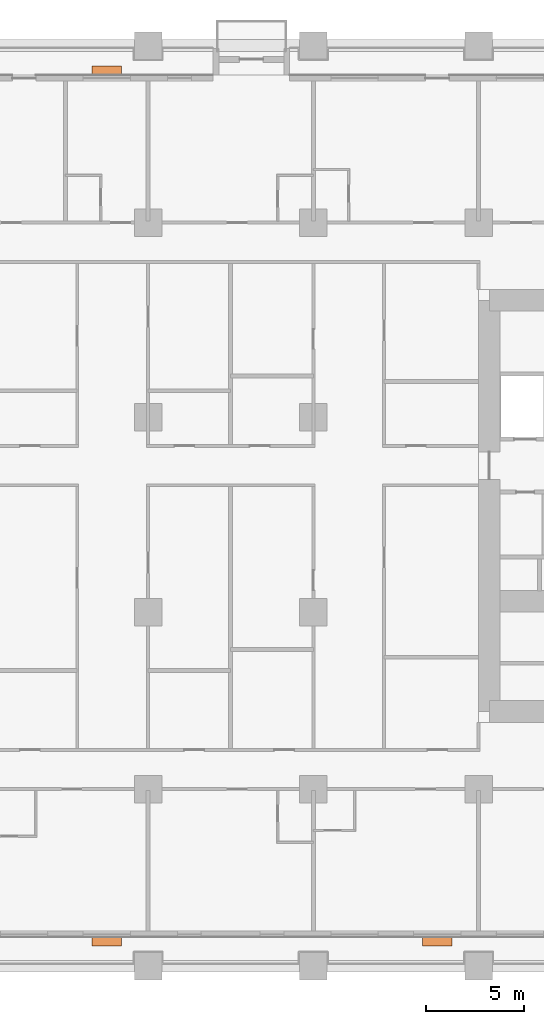
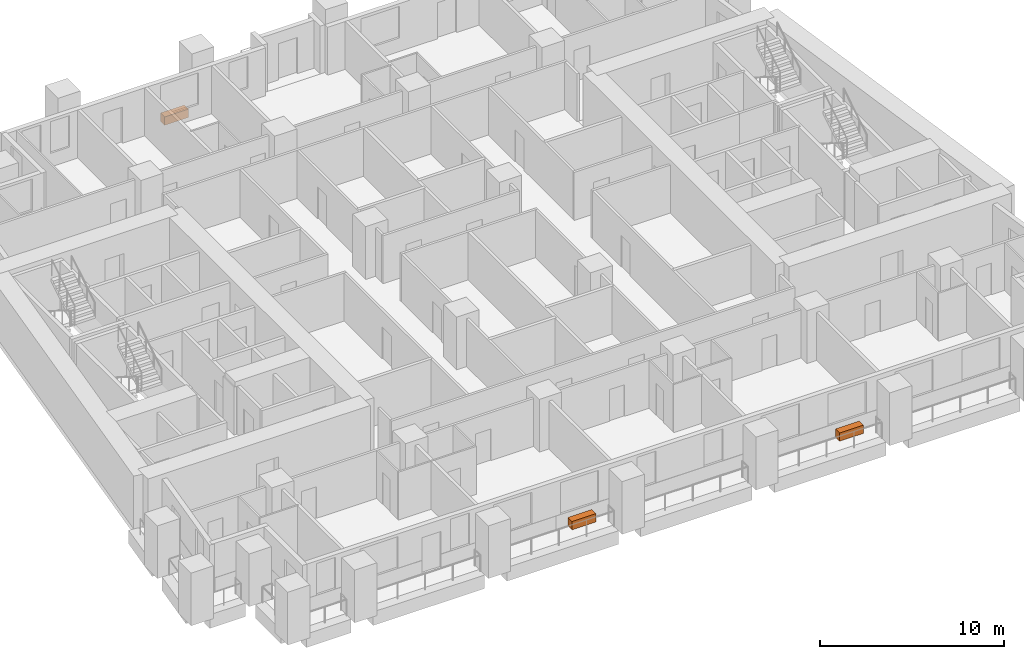
# One storey, part 13 of 13: 3 proxies.
"""IFC4 building model written with IfcOpenShell, lengths in metres."""

from ifc_helpers import new_model, si_unit, direction, frame, origin, origin_2d, place, context, subcontext, project, spatial, rectangle, extrude, element, save


model = new_model("IFC4")

# Units and contexts
model_context = context("Model", 3, precision=1e-05, world=origin(), true_north=direction((0.0, 1.0)))
body_context = subcontext(model_context, "Body", "Model", "MODEL_VIEW")
ifc_project = project(units=[si_unit("LENGTHUNIT", "METRE"), si_unit("AREAUNIT", "SQUARE_METRE"), si_unit("VOLUMEUNIT", "CUBIC_METRE"), si_unit("PLANEANGLEUNIT", "RADIAN"), si_unit("MASSUNIT", "GRAM", prefix="KILO")], contexts=[model_context])

# Site, building, storey
site_placement = place(None, origin())
site = spatial("IfcSite", under=ifc_project, at=site_placement, CompositionType="ELEMENT")
building_placement = place(site_placement, origin())
building = spatial("IfcBuilding", under=site, at=building_placement, Name="Candeia Pilgrim Tower and Theatre", CompositionType="ELEMENT")
storey_placement = place(building_placement, frame((0.0, 0.0, 56.5)))
storey = spatial("IfcBuildingStorey", under=building, at=storey_placement, Name="L11", CompositionType="ELEMENT", Elevation=56.5)

# Proxies
for number, where, z_axis, x_axis, name in (
    (1, (107.10009765625, 99.2548828125, 0.0), (0.0, 0.0, 1.0), (1.0, 0.0, 0.0), "Planter"),
    (2, (123.89990234375, 99.2548828125, 0.0), (0.0, 0.0, 1.0), (1.0, 0.0, 0.0), "Planter"),
    (3, (107.10009765625, 143.544921875, 0.0), (0.0, 0.0, 1.0), (-1.0, 0.0, 0.0), "Planter"),
):
    element("IfcBuildingElementProxy", number, at=place(storey_placement, frame(where, z_axis=z_axis, x_axis=x_axis)), inside=storey, Name=name, ObjectType="PLANTER", PredefinedType="USERDEFINED", context=body_context, shape_type="SweptSolid", body=[
        extrude(rectangle(XDim=1.5, YDim=0.449951171875, at=origin_2d()), origin(), (0.0, 0.0, 1.0), 0.550048828125),
    ])

save(model, "model.ifc")
